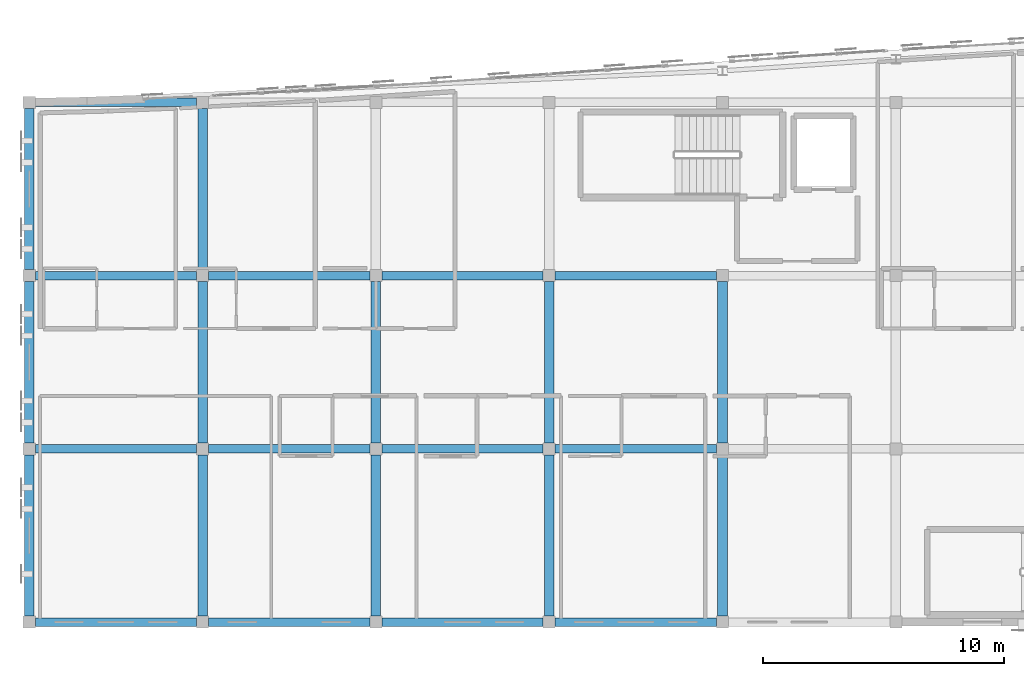
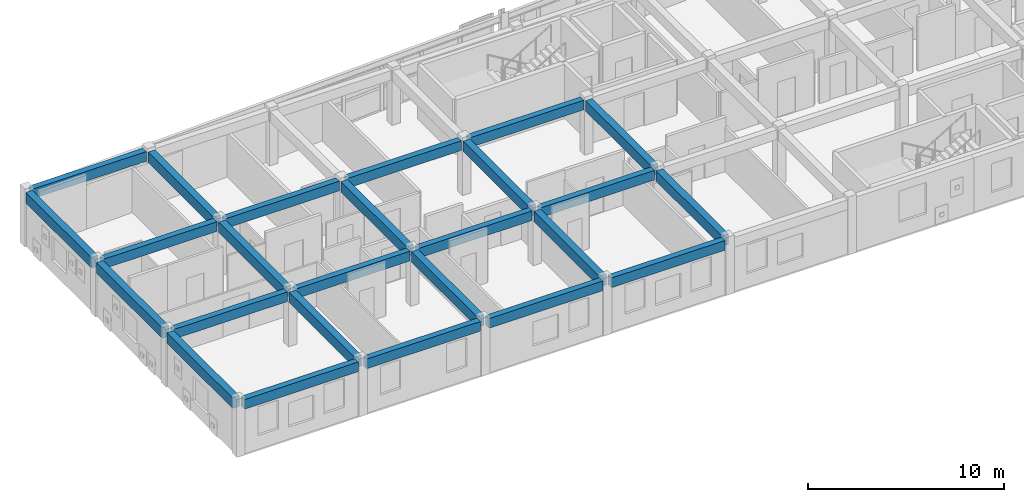
# One storey, part 4 of 34: 25 beams.
"""IFC4 building model written with IfcOpenShell, lengths in metres."""

from ifc_helpers import new_model, si_unit, direction, frame, origin, origin_2d, place, context, subcontext, project, spatial, rectangle, extrude, material, material_profile, profile_set, type_object, element, save


model = new_model("IFC4")

# Units and contexts
model_context = context("Model", 3, precision=1e-05, world=origin(), true_north=direction((0.0, 1.0)))
body_context = subcontext(model_context, "Body", "Model", "MODEL_VIEW")
ifc_project = project(units=[si_unit("LENGTHUNIT", "METRE"), si_unit("AREAUNIT", "SQUARE_METRE"), si_unit("VOLUMEUNIT", "CUBIC_METRE"), si_unit("PLANEANGLEUNIT", "RADIAN"), si_unit("MASSUNIT", "GRAM", prefix="KILO")], contexts=[model_context])

# Site, building, storey
site_placement = place(None, origin())
site = spatial("IfcSite", under=ifc_project, at=site_placement, CompositionType="ELEMENT")
building_placement = place(site_placement, origin())
building = spatial("IfcBuilding", under=site, at=building_placement, Name="Carrowvane Square Congress Hotel", CompositionType="ELEMENT")
storey_placement = place(building_placement, frame((0.0, 0.0, 40.800048828125)))
storey = spatial("IfcBuildingStorey", under=building, at=storey_placement, Name="L10", CompositionType="ELEMENT", Elevation=40.800048828125)

# Beams
ifc_material_1 = material(Name="Concrete C35/45", Category="concrete")
ifc_material_profile_1 = material_profile(ifc_material_1, rectangle(XDim=0.35009765625, YDim=0.60009765625, at=origin_2d()), Name="RC 350x600")
ifc_profile_set_1 = profile_set([ifc_material_profile_1], Name="Concrete C35/45")
beam_type_1 = type_object("IfcBeamType", Name="BM-RC-350x600", PredefinedType="BEAM", material=ifc_profile_set_1)
beam_1_placement = place(storey_placement, frame((33.449951171875, 91.800048828125, 3.079833984375), z_axis=(1.0, 0.0, 0.0), x_axis=(0.0, 1.0, 0.0)))
element("IfcBeam", 1, at=beam_1_placement, inside=storey, type_object=beam_type_1, Name="L11 girder N/4-5", PredefinedType="BEAM", context=body_context, shape_type="SweptSolid", body=[
    extrude(rectangle(XDim=0.35009765625, YDim=0.60009765625, at=origin_2d()), origin(), (0.0, 0.0, 1.0), 6.699951171875),
])
beam_2_placement = place(storey_placement, frame((40.64990234375, 91.800048828125, 3.079833984375), z_axis=(1.0, 0.0, 0.0), x_axis=(0.0, 1.0, 0.0)))
element("IfcBeam", 2, at=beam_2_placement, inside=storey, type_object=beam_type_1, Name="L11 girder N/5-6", PredefinedType="BEAM", context=body_context, shape_type="SweptSolid", body=[
    extrude(rectangle(XDim=0.35009765625, YDim=0.60009765625, at=origin_2d()), origin(), (0.0, 0.0, 1.0), 6.7001953125),
])
for number, where, z_axis, x_axis, name in (
    (3, (47.85009765625, 91.800048828125, 3.079833984375), (1.0, 0.0, 0.0), (0.0, 1.0, 0.0), "L11 girder N/6-7"),
    (4, (55.050048828125, 91.800048828125, 3.079833984375), (1.0, 0.0, 0.0), (0.0, 1.0, 0.0), "L11 girder N/7-8"),
    (5, (33.449951171875, 99.0, 3.079833984375), (1.0, 0.0, 0.0), (0.0, 1.0, 0.0), "L11 girder P/4-5"),
):
    element("IfcBeam", number, at=place(storey_placement, frame(where, z_axis=z_axis, x_axis=x_axis)), inside=storey, type_object=beam_type_1, Name=name, PredefinedType="BEAM", context=body_context, shape_type="SweptSolid", body=[
        extrude(rectangle(XDim=0.35009765625, YDim=0.60009765625, at=origin_2d()), origin(), (0.0, 0.0, 1.0), 6.699951171875),
    ])
beam_3_placement = place(storey_placement, frame((40.64990234375, 99.0, 3.079833984375), z_axis=(1.0, 0.0, 0.0), x_axis=(0.0, 1.0, 0.0)))
element("IfcBeam", 6, at=beam_3_placement, inside=storey, type_object=beam_type_1, Name="L11 girder P/5-6", PredefinedType="BEAM", context=body_context, shape_type="SweptSolid", body=[
    extrude(rectangle(XDim=0.35009765625, YDim=0.60009765625, at=origin_2d()), origin(), (0.0, 0.0, 1.0), 6.7001953125),
])
for number, where, z_axis, x_axis, name in (
    (7, (47.85009765625, 99.0, 3.079833984375), (1.0, 0.0, 0.0), (0.0, 1.0, 0.0), "L11 girder P/6-7"),
    (8, (55.050048828125, 99.0, 3.079833984375), (1.0, 0.0, 0.0), (0.0, 1.0, 0.0), "L11 girder P/7-8"),
    (9, (33.449951171875, 106.199951171875, 3.079833984375), (1.0, 0.0, 0.0), (0.0, 1.0, 0.0), "L11 girder Q/4-5"),
):
    element("IfcBeam", number, at=place(storey_placement, frame(where, z_axis=z_axis, x_axis=x_axis)), inside=storey, type_object=beam_type_1, Name=name, PredefinedType="BEAM", context=body_context, shape_type="SweptSolid", body=[
        extrude(rectangle(XDim=0.35009765625, YDim=0.60009765625, at=origin_2d()), origin(), (0.0, 0.0, 1.0), 6.699951171875),
    ])
beam_4_placement = place(storey_placement, frame((40.64990234375, 106.199951171875, 3.079833984375), z_axis=(1.0, 0.0, 0.0), x_axis=(0.0, 1.0, 0.0)))
element("IfcBeam", 10, at=beam_4_placement, inside=storey, type_object=beam_type_1, Name="L11 girder Q/5-6", PredefinedType="BEAM", context=body_context, shape_type="SweptSolid", body=[
    extrude(rectangle(XDim=0.35009765625, YDim=0.60009765625, at=origin_2d()), origin(), (0.0, 0.0, 1.0), 6.7001953125),
])
for number, where, z_axis, x_axis, name in (
    (11, (47.85009765625, 106.199951171875, 3.079833984375), (1.0, 0.0, 0.0), (0.0, 1.0, 0.0), "L11 girder Q/6-7"),
    (12, (55.050048828125, 106.199951171875, 3.079833984375), (1.0, 0.0, 0.0), (0.0, 1.0, 0.0), "L11 girder Q/7-8"),
    (13, (33.449951171875, 113.39990234375, 3.079833984375), (1.0, 0.0, 0.0), (0.0, 1.0, 0.0), "L11 girder R/4-5"),
):
    element("IfcBeam", number, at=place(storey_placement, frame(where, z_axis=z_axis, x_axis=x_axis)), inside=storey, type_object=beam_type_1, Name=name, PredefinedType="BEAM", context=body_context, shape_type="SweptSolid", body=[
        extrude(rectangle(XDim=0.35009765625, YDim=0.60009765625, at=origin_2d()), origin(), (0.0, 0.0, 1.0), 6.699951171875),
    ])
ifc_material_2 = material(Name="Concrete C35/45", Category="concrete")
ifc_material_profile_2 = material_profile(ifc_material_2, rectangle(XDim=0.39990234375, YDim=0.64990234375, at=origin_2d()), Name="RC 400x650")
ifc_profile_set_2 = profile_set([ifc_material_profile_2], Name="Concrete C35/45")
beam_type_2 = type_object("IfcBeamType", Name="BM-RC-400x650", PredefinedType="BEAM", material=ifc_profile_set_2)
for number, where, z_axis, x_axis, name in (
    (14, (33.199951171875, 92.050048828125, 3.054931640625), (0.0, 1.0, 0.0), (-1.0, 0.0, 0.0), "L11 girder 4/N-P"),
    (15, (33.199951171875, 99.25, 3.054931640625), (0.0, 1.0, 0.0), (-1.0, 0.0, 0.0), "L11 girder 4/P-Q"),
    (16, (33.199951171875, 106.449951171875, 3.054931640625), (0.0, 1.0, 0.0), (-1.0, 0.0, 0.0), "L11 girder 4/Q-R"),
    (17, (40.39990234375, 92.050048828125, 3.054931640625), (0.0, 1.0, 0.0), (-1.0, 0.0, 0.0), "L11 girder 5/N-P"),
    (18, (40.39990234375, 99.25, 3.054931640625), (0.0, 1.0, 0.0), (-1.0, 0.0, 0.0), "L11 girder 5/P-Q"),
    (19, (40.39990234375, 106.449951171875, 3.054931640625), (0.0, 1.0, 0.0), (-1.0, 0.0, 0.0), "L11 girder 5/Q-R"),
    (20, (47.60009765625, 92.050048828125, 3.054931640625), (0.0, 1.0, 0.0), (-1.0, 0.0, 0.0), "L11 girder 6/N-P"),
    (21, (47.60009765625, 99.25, 3.054931640625), (0.0, 1.0, 0.0), (-1.0, 0.0, 0.0), "L11 girder 6/P-Q"),
    (22, (54.800048828125, 92.050048828125, 3.054931640625), (0.0, 1.0, 0.0), (-1.0, 0.0, 0.0), "L11 girder 7/N-P"),
    (23, (54.800048828125, 99.25, 3.054931640625), (0.0, 1.0, 0.0), (-1.0, 0.0, 0.0), "L11 girder 7/P-Q"),
    (24, (62.0, 92.050048828125, 3.054931640625), (0.0, 1.0, 0.0), (-1.0, 0.0, 0.0), "L11 girder 8/N-P"),
    (25, (62.0, 99.25, 3.054931640625), (0.0, 1.0, 0.0), (-1.0, 0.0, 0.0), "L11 girder 8/P-Q"),
):
    element("IfcBeam", number, at=place(storey_placement, frame(where, z_axis=z_axis, x_axis=x_axis)), inside=storey, type_object=beam_type_2, Name=name, PredefinedType="BEAM", context=body_context, shape_type="SweptSolid", body=[
        extrude(rectangle(XDim=0.39990234375, YDim=0.64990234375, at=origin_2d()), origin(), (0.0, 0.0, 1.0), 6.699951171875),
    ])

save(model, "model.ifc")
